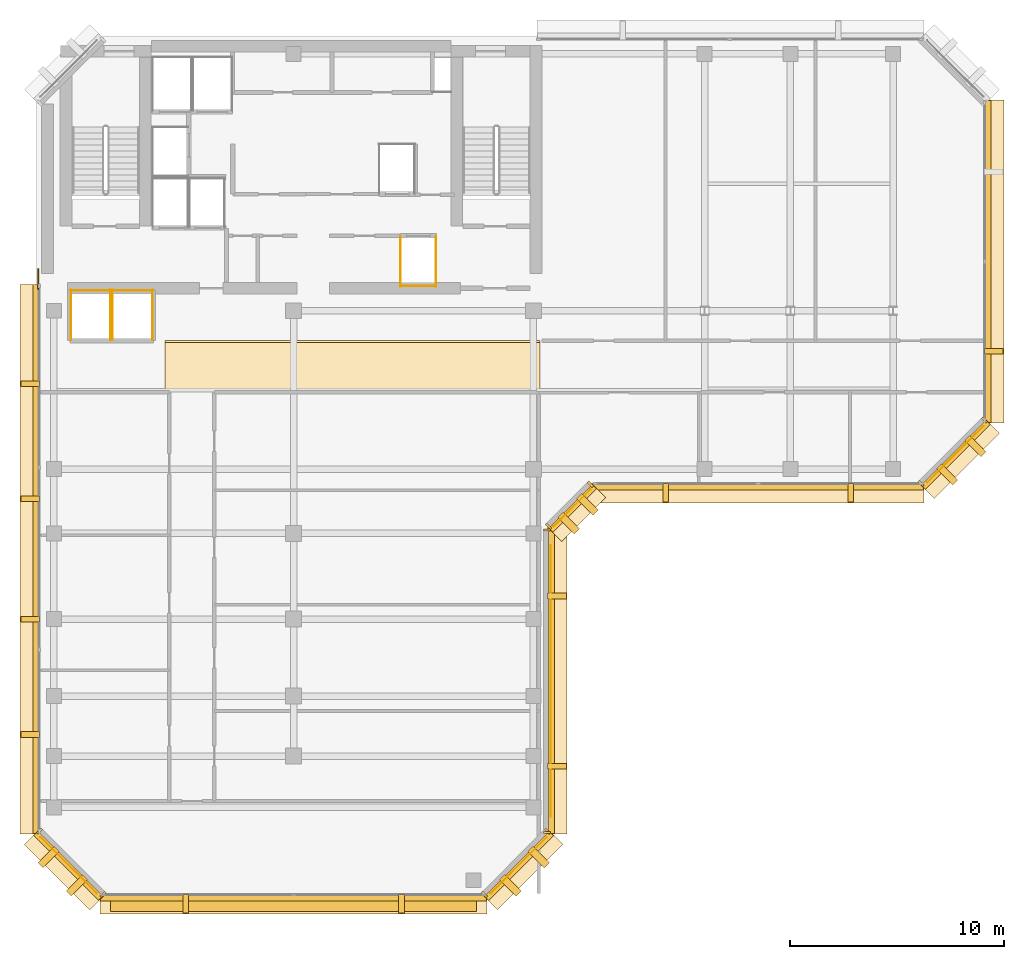
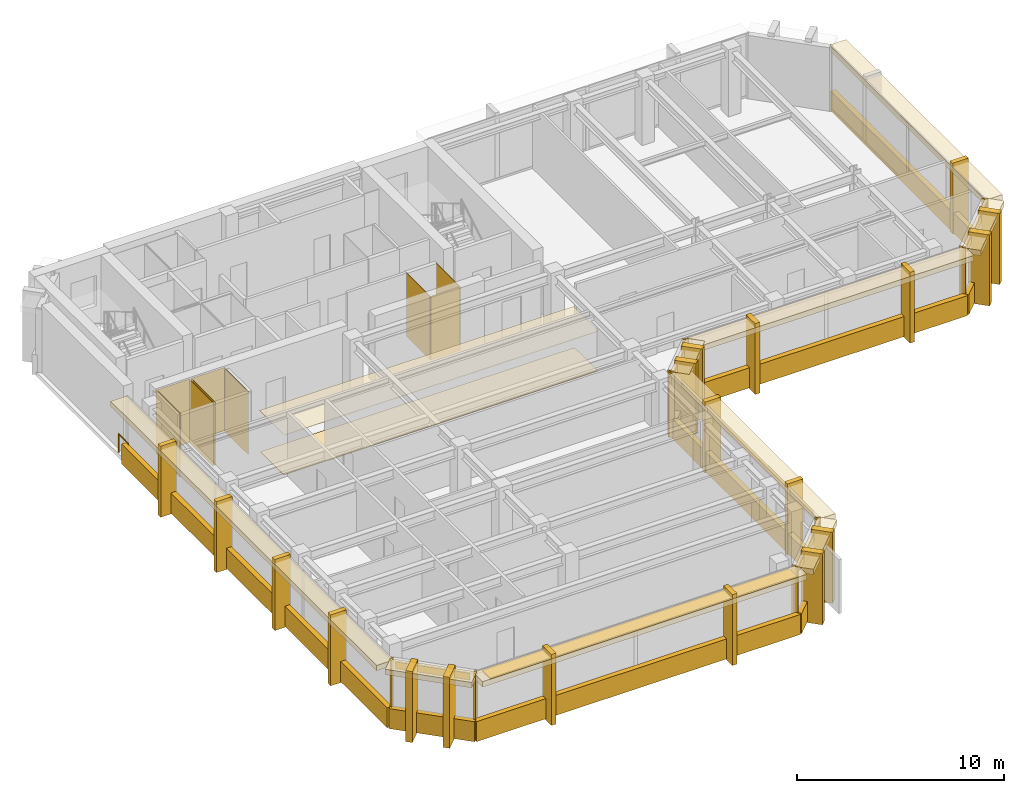
# One storey, part 9 of 11: 63 coverings, 1 railing, 1 shading device.
"""IFC4 building model written with IfcOpenShell, lengths in metres."""

from ifc_helpers import new_model, si_unit, direction, frame, origin, origin_2d, place, context, subcontext, project, spatial, polyline, rectangle, circle, outline, extrude, material, layer, layer_set, type_object, element, save


model = new_model("IFC4")

# Units and contexts
model_context = context("Model", 3, precision=1e-05, world=origin(), true_north=direction((0.0, 1.0)))
body_context = subcontext(model_context, "Body", "Model", "MODEL_VIEW")
ifc_project = project(units=[si_unit("LENGTHUNIT", "METRE"), si_unit("AREAUNIT", "SQUARE_METRE"), si_unit("VOLUMEUNIT", "CUBIC_METRE"), si_unit("PLANEANGLEUNIT", "RADIAN"), si_unit("MASSUNIT", "GRAM", prefix="KILO")], contexts=[model_context])

# Site, building, storey
site_placement = place(None, origin())
site = spatial("IfcSite", under=ifc_project, at=site_placement, CompositionType="ELEMENT")
building_placement = place(site_placement, origin())
building = spatial("IfcBuilding", under=site, at=building_placement, Name="Kefirva Bronze Tower", CompositionType="ELEMENT")
storey_placement = place(building_placement, frame((0.0, 0.0, 292.050048828125)))
storey = spatial("IfcBuildingStorey", under=building, at=storey_placement, Name="L71", CompositionType="ELEMENT", Elevation=292.050048828125)

# Coverings
ifc_material_1 = material(Name="Acoustic mineral tile")
ifc_layer_1 = layer(ifc_material_1, 0.02490234375, Name="Acoustic mineral tile")
ifc_layer_set_1 = layer_set([ifc_layer_1], Name="Acoustic mineral tile")
covering_type_1 = type_object("IfcCoveringType", Name="Acoustic Mineral Suspended Ceiling 25mm", PredefinedType="CEILING", material=ifc_layer_set_1)
covering_1_placement = place(storey_placement, frame((0.0, 0.0, 2.39990234375)))
element("IfcCovering", 1, at=covering_1_placement, inside=storey, type_object=covering_type_1, Name="L71 Corridor Acoustic Ceiling", PredefinedType="CEILING", context=body_context, shape_type="SweptSolid", body=[
    extrude(outline(polyline([(6.0, 29.39990234375), (23.5, 29.39990234375), (23.5, 31.800048828125), (6.0, 31.800048828125), (6.0, 29.39990234375)])), origin(), (0.0, 0.0, 1.0), 0.025146484375),
])
ifc_material_2 = material(Name="Bronze anodised aluminium", Category="aluminium")
ifc_layer_2 = layer(ifc_material_2, 0.02001953125, Name="Bronze anodised aluminium")
ifc_layer_set_2 = layer_set([ifc_layer_2], Name="Bronze anodised aluminium")
covering_type_2 = type_object("IfcCoveringType", Name="Anodised Bronze Spandrel Cladding 20mm", PredefinedType="CLADDING", material=ifc_layer_set_2)
covering_2_placement = place(storey_placement, frame((12.0, 5.760009765625, -0.16015625), z_axis=(0.0, 0.0, 1.0), x_axis=(1.0, 0.0, 0.0)))
element("IfcCovering", 2, at=covering_2_placement, inside=storey, type_object=covering_type_2, Name="L71 Streamline Horizontal Spandrel Band 0", PredefinedType="CLADDING", context=body_context, shape_type="SweptSolid", body=[
    extrude(rectangle(XDim=18.0400390625, YDim=0.280029296875, at=origin_2d()), origin(), (0.0, 0.0, 1.0), 1.179931640625),
])
covering_3_placement = place(storey_placement, frame((22.507080078125, 7.29296875, 3.320068359375), z_axis=(0.0, 0.0, 1.0), x_axis=(0.707106781187, 0.707106781187, 0.0)))
element("IfcCovering", 3, at=covering_3_placement, inside=storey, type_object=covering_type_2, Name="L71 Bronze Spandrel Cladding 1", PredefinedType="CLADDING", context=body_context, shape_type="SweptSolid", body=[
    extrude(rectangle(XDim=3.719482421875, YDim=0.02001953125, at=origin_2d()), origin(), (0.0, 0.0, 1.0), 0.39990234375),
])
for number, where, z_axis, x_axis, name in (
    (4, (20.91162109375, 5.93798828125, 0.0), (0.0, 0.0, 1.0), (0.707106781187, 0.707106781187, 0.0), "L71 Facade Joint Closure Panel 1S"),
    (5, (23.862060546875, 8.88818359375, 0.0), (0.0, 0.0, 1.0), (0.707106781187, 0.707106781187, 0.0), "L71 Facade Joint Closure Panel 1E"),
):
    element("IfcCovering", number, at=place(storey_placement, frame(where, z_axis=z_axis, x_axis=x_axis)), inside=storey, type_object=covering_type_2, Name=name, PredefinedType="CLADDING", context=body_context, shape_type="SweptSolid", body=[
        extrude(rectangle(XDim=0.10009765625, YDim=0.320068359375, at=origin_2d()), origin(), (0.0, 0.0, 1.0), 3.739990234375),
    ])
covering_4_placement = place(storey_placement, frame((22.5283203125, 7.271728515625, -0.16015625), z_axis=(0.0, 0.0, 1.0), x_axis=(0.707106781187, 0.707106781187, 0.0)))
element("IfcCovering", 6, at=covering_4_placement, inside=storey, type_object=covering_type_2, Name="L71 Streamline Horizontal Spandrel Band 1", PredefinedType="CLADDING", context=body_context, shape_type="SweptSolid", body=[
    extrude(rectangle(XDim=4.28271484375, YDim=0.280029296875, at=origin_2d()), origin(), (0.0, 0.0, 1.0), 1.179931640625),
])
covering_5_placement = place(storey_placement, frame((24.010009765625, 15.89990234375, 3.320068359375), z_axis=(0.0, 0.0, 1.0), x_axis=(0.0, 1.0, 0.0)))
element("IfcCovering", 7, at=covering_5_placement, inside=storey, type_object=covering_type_2, Name="L71 Bronze Spandrel Cladding 2", PredefinedType="CLADDING", context=body_context, shape_type="SweptSolid", body=[
    extrude(rectangle(XDim=12.680908203125, YDim=0.02001953125, at=origin_2d()), origin(), (0.0, 0.0, 1.0), 0.39990234375),
])
for number, where, z_axis, x_axis, name in (
    (8, (23.840087890625, 8.8349609375, 0.0), (0.0, 0.0, 1.0), (0.0, 1.0, 0.0), "L71 Facade Joint Closure Panel 2S"),
    (9, (23.840087890625, 22.965087890625, 0.0), (0.0, 0.0, 1.0), (0.0, 1.0, 0.0), "L71 Facade Joint Closure Panel 2E"),
):
    element("IfcCovering", number, at=place(storey_placement, frame(where, z_axis=z_axis, x_axis=x_axis)), inside=storey, type_object=covering_type_2, Name=name, PredefinedType="CLADDING", context=body_context, shape_type="SweptSolid", body=[
        extrude(rectangle(XDim=0.10009765625, YDim=0.320068359375, at=origin_2d()), origin(), (0.0, 0.0, 1.0), 3.739990234375),
    ])
covering_6_placement = place(storey_placement, frame((24.0400390625, 15.89990234375, -0.16015625), z_axis=(0.0, 0.0, 1.0), x_axis=(0.0, 1.0, 0.0)))
element("IfcCovering", 10, at=covering_6_placement, inside=storey, type_object=covering_type_2, Name="L71 Streamline Horizontal Spandrel Band 2", PredefinedType="CLADDING", context=body_context, shape_type="SweptSolid", body=[
    extrude(rectangle(XDim=14.239990234375, YDim=0.280029296875, at=origin_2d()), origin(), (0.0, 0.0, 1.0), 1.179931640625),
])
covering_7_placement = place(storey_placement, frame((25.007080078125, 23.992919921875, 3.320068359375), z_axis=(0.0, 0.0, 1.0), x_axis=(0.707106781187, 0.707106781187, 0.0)))
element("IfcCovering", 11, at=covering_7_placement, inside=storey, type_object=covering_type_2, Name="L71 Bronze Spandrel Cladding 3", PredefinedType="CLADDING", context=body_context, shape_type="SweptSolid", body=[
    extrude(rectangle(XDim=2.446533203125, YDim=0.02001953125, at=origin_2d()), origin(), (0.0, 0.0, 1.0), 0.39990234375),
])
for number, where, z_axis, x_axis, name in (
    (12, (23.91162109375, 23.137939453125, 0.0), (0.0, 0.0, 1.0), (0.707106781187, 0.707106781187, 0.0), "L71 Facade Joint Closure Panel 3S"),
    (13, (25.862060546875, 25.08837890625, 0.0), (0.0, 0.0, 1.0), (0.707106781187, 0.707106781187, 0.0), "L71 Facade Joint Closure Panel 3E"),
):
    element("IfcCovering", number, at=place(storey_placement, frame(where, z_axis=z_axis, x_axis=x_axis)), inside=storey, type_object=covering_type_2, Name=name, PredefinedType="CLADDING", context=body_context, shape_type="SweptSolid", body=[
        extrude(rectangle(XDim=0.10009765625, YDim=0.320068359375, at=origin_2d()), origin(), (0.0, 0.0, 1.0), 3.739990234375),
    ])
covering_8_placement = place(storey_placement, frame((25.0283203125, 23.9716796875, -0.16015625), z_axis=(0.0, 0.0, 1.0), x_axis=(0.707106781187, 0.707106781187, 0.0)))
element("IfcCovering", 14, at=covering_8_placement, inside=storey, type_object=covering_type_2, Name="L71 Streamline Horizontal Spandrel Band 3", PredefinedType="CLADDING", context=body_context, shape_type="SweptSolid", body=[
    extrude(rectangle(XDim=2.868408203125, YDim=0.280029296875, at=origin_2d()), origin(), (0.0, 0.0, 1.0), 1.179931640625),
])
covering_9_placement = place(storey_placement, frame((33.699951171875, 24.9599609375, -0.16015625), z_axis=(0.0, 0.0, 1.0), x_axis=(1.0, 0.0, 0.0)))
element("IfcCovering", 15, at=covering_9_placement, inside=storey, type_object=covering_type_2, Name="L71 Streamline Horizontal Spandrel Band 4", PredefinedType="CLADDING", context=body_context, shape_type="SweptSolid", body=[
    extrude(rectangle(XDim=15.43994140625, YDim=0.280029296875, at=origin_2d()), origin(), (0.0, 0.0, 1.0), 1.179931640625),
])
covering_10_placement = place(storey_placement, frame((42.906982421875, 26.492919921875, 3.320068359375), z_axis=(0.0, 0.0, 1.0), x_axis=(0.707106781187, 0.707106781187, 0.0)))
element("IfcCovering", 16, at=covering_10_placement, inside=storey, type_object=covering_type_2, Name="L71 Bronze Spandrel Cladding 4", PredefinedType="CLADDING", context=body_context, shape_type="SweptSolid", body=[
    extrude(rectangle(XDim=3.719482421875, YDim=0.02001953125, at=origin_2d()), origin(), (0.0, 0.0, 1.0), 0.39990234375),
])
for number, where, z_axis, x_axis, name in (
    (17, (41.311767578125, 25.137939453125, 0.0), (0.0, 0.0, 1.0), (0.707106781187, 0.707106781187, 0.0), "L71 Facade Joint Closure Panel 4S"),
    (18, (44.26220703125, 28.08837890625, 0.0), (0.0, 0.0, 1.0), (0.707106781187, 0.707106781187, 0.0), "L71 Facade Joint Closure Panel 4E"),
):
    element("IfcCovering", number, at=place(storey_placement, frame(where, z_axis=z_axis, x_axis=x_axis)), inside=storey, type_object=covering_type_2, Name=name, PredefinedType="CLADDING", context=body_context, shape_type="SweptSolid", body=[
        extrude(rectangle(XDim=0.10009765625, YDim=0.320068359375, at=origin_2d()), origin(), (0.0, 0.0, 1.0), 3.739990234375),
    ])
covering_11_placement = place(storey_placement, frame((42.92822265625, 26.4716796875, -0.16015625), z_axis=(0.0, 0.0, 1.0), x_axis=(0.707106781187, 0.707106781187, 0.0)))
element("IfcCovering", 19, at=covering_11_placement, inside=storey, type_object=covering_type_2, Name="L71 Streamline Horizontal Spandrel Band 5", PredefinedType="CLADDING", context=body_context, shape_type="SweptSolid", body=[
    extrude(rectangle(XDim=4.28271484375, YDim=0.280029296875, at=origin_2d()), origin(), (0.0, 0.0, 1.0), 1.179931640625),
])
covering_12_placement = place(storey_placement, frame((44.43994140625, 35.5, -0.16015625), z_axis=(0.0, 0.0, 1.0), x_axis=(0.0, 1.0, 0.0)))
element("IfcCovering", 20, at=covering_12_placement, inside=storey, type_object=covering_type_2, Name="L71 Streamline Horizontal Spandrel Band 6", PredefinedType="CLADDING", context=body_context, shape_type="SweptSolid", body=[
    extrude(rectangle(XDim=15.0400390625, YDim=0.280029296875, at=origin_2d()), origin(), (0.0, 0.0, 1.0), 1.179931640625),
])
covering_13_placement = place(storey_placement, frame((-0.0400390625, 21.597412109375, -0.16015625), z_axis=(0.0, 0.0, 1.0), x_axis=(0.0, -1.0, 0.0)))
element("IfcCovering", 21, at=covering_13_placement, inside=storey, type_object=covering_type_2, Name="L71 Streamline Horizontal Spandrel Band 10", PredefinedType="CLADDING", context=body_context, shape_type="SweptSolid", body=[
    extrude(rectangle(XDim=25.635009765625, YDim=0.280029296875, at=origin_2d()), origin(), (0.0, 0.0, 1.0), 1.179931640625),
])
covering_14_placement = place(storey_placement, frame((1.492919921875, 7.29296875, 3.320068359375), z_axis=(0.0, 0.0, 1.0), x_axis=(0.707106781187, -0.707106781187, 0.0)))
element("IfcCovering", 22, at=covering_14_placement, inside=storey, type_object=covering_type_2, Name="L71 Bronze Spandrel Cladding 7", PredefinedType="CLADDING", context=body_context, shape_type="SweptSolid", body=[
    extrude(rectangle(XDim=3.719482421875, YDim=0.02001953125, at=origin_2d()), origin(), (0.0, 0.0, 1.0), 0.39990234375),
])
for number, where, z_axis, x_axis, name in (
    (23, (0.137939453125, 8.88818359375, 0.0), (0.0, 0.0, 1.0), (0.707106781187, -0.707106781187, 0.0), "L71 Facade Joint Closure Panel 7S"),
    (24, (3.08837890625, 5.93798828125, 0.0), (0.0, 0.0, 1.0), (0.707106781187, -0.707106781187, 0.0), "L71 Facade Joint Closure Panel 7E"),
):
    element("IfcCovering", number, at=place(storey_placement, frame(where, z_axis=z_axis, x_axis=x_axis)), inside=storey, type_object=covering_type_2, Name=name, PredefinedType="CLADDING", context=body_context, shape_type="SweptSolid", body=[
        extrude(rectangle(XDim=0.10009765625, YDim=0.320068359375, at=origin_2d()), origin(), (0.0, 0.0, 1.0), 3.739990234375),
    ])
covering_15_placement = place(storey_placement, frame((1.4716796875, 7.271728515625, -0.16015625), z_axis=(0.0, 0.0, 1.0), x_axis=(0.707106781187, -0.707106781187, 0.0)))
element("IfcCovering", 25, at=covering_15_placement, inside=storey, type_object=covering_type_2, Name="L71 Streamline Horizontal Spandrel Band 11", PredefinedType="CLADDING", context=body_context, shape_type="SweptSolid", body=[
    extrude(rectangle(XDim=4.28271484375, YDim=0.280029296875, at=origin_2d()), origin(), (0.0, 0.0, 1.0), 1.179931640625),
])
covering_16_placement = place(storey_placement, origin())
element("IfcCovering", 26, at=covering_16_placement, inside=storey, type_object=covering_type_2, Name="L71 Lift OB1 Hoistway Liner N", PredefinedType="CLADDING", context=body_context, shape_type="SweptSolid", body=[
    extrude(outline(polyline([(1.580078125, 34.139892578125), (3.469970703125, 34.139892578125), (3.469970703125, 34.159912109375), (1.580078125, 34.159912109375), (1.580078125, 34.139892578125)])), origin(), (0.0, 0.0, 1.0), 3.739990234375),
])
covering_17_placement = place(storey_placement, origin())
element("IfcCovering", 27, at=covering_17_placement, inside=storey, type_object=covering_type_2, Name="L71 Lift OB1 Hoistway Liner W", PredefinedType="CLADDING", context=body_context, shape_type="SweptSolid", body=[
    extrude(outline(polyline([(1.590087890625, 31.830078125), (1.610107421875, 31.830078125), (1.610107421875, 34.169921875), (1.590087890625, 34.169921875), (1.590087890625, 31.830078125)])), origin(), (0.0, 0.0, 1.0), 3.739990234375),
])
covering_18_placement = place(storey_placement, origin())
element("IfcCovering", 28, at=covering_18_placement, inside=storey, type_object=covering_type_2, Name="L71 Lift OB1 Hoistway Liner E", PredefinedType="CLADDING", context=body_context, shape_type="SweptSolid", body=[
    extrude(outline(polyline([(3.43994140625, 31.830078125), (3.4599609375, 31.830078125), (3.4599609375, 34.169921875), (3.43994140625, 34.169921875), (3.43994140625, 31.830078125)])), origin(), (0.0, 0.0, 1.0), 3.739990234375),
])
covering_19_placement = place(storey_placement, origin())
element("IfcCovering", 29, at=covering_19_placement, inside=storey, type_object=covering_type_2, Name="L71 Lift OB2 Hoistway Liner N", PredefinedType="CLADDING", context=body_context, shape_type="SweptSolid", body=[
    extrude(outline(polyline([(3.530029296875, 34.139892578125), (5.419921875, 34.139892578125), (5.419921875, 34.159912109375), (3.530029296875, 34.159912109375), (3.530029296875, 34.139892578125)])), origin(), (0.0, 0.0, 1.0), 3.739990234375),
])
covering_20_placement = place(storey_placement, origin())
element("IfcCovering", 30, at=covering_20_placement, inside=storey, type_object=covering_type_2, Name="L71 Lift OB2 Hoistway Liner W", PredefinedType="CLADDING", context=body_context, shape_type="SweptSolid", body=[
    extrude(outline(polyline([(3.5400390625, 31.830078125), (3.56005859375, 31.830078125), (3.56005859375, 34.169921875), (3.5400390625, 34.169921875), (3.5400390625, 31.830078125)])), origin(), (0.0, 0.0, 1.0), 3.739990234375),
])
covering_21_placement = place(storey_placement, origin())
element("IfcCovering", 31, at=covering_21_placement, inside=storey, type_object=covering_type_2, Name="L71 Lift OB2 Hoistway Liner E", PredefinedType="CLADDING", context=body_context, shape_type="SweptSolid", body=[
    extrude(outline(polyline([(5.389892578125, 31.830078125), (5.409912109375, 31.830078125), (5.409912109375, 34.169921875), (5.389892578125, 34.169921875), (5.389892578125, 31.830078125)])), origin(), (0.0, 0.0, 1.0), 3.739990234375),
])
covering_22_placement = place(storey_placement, origin())
element("IfcCovering", 32, at=covering_22_placement, inside=storey, type_object=covering_type_2, Name="L71 Lift HP1 Hoistway Liner S", PredefinedType="CLADDING", context=body_context, shape_type="SweptSolid", body=[
    extrude(outline(polyline([(16.97998046875, 34.340087890625), (18.669921875, 34.340087890625), (18.669921875, 34.360107421875), (16.97998046875, 34.360107421875), (16.97998046875, 34.340087890625)])), origin(), (0.0, 0.0, 1.0), 3.739990234375),
])
covering_23_placement = place(storey_placement, origin())
element("IfcCovering", 33, at=covering_23_placement, inside=storey, type_object=covering_type_2, Name="L71 Lift HP1 Hoistway Liner W", PredefinedType="CLADDING", context=body_context, shape_type="SweptSolid", body=[
    extrude(outline(polyline([(16.989990234375, 34.330078125), (17.010009765625, 34.330078125), (17.010009765625, 36.669921875), (16.989990234375, 36.669921875), (16.989990234375, 34.330078125)])), origin(), (0.0, 0.0, 1.0), 3.739990234375),
])
covering_24_placement = place(storey_placement, origin())
element("IfcCovering", 34, at=covering_24_placement, inside=storey, type_object=covering_type_2, Name="L71 Lift HP1 Hoistway Liner E", PredefinedType="CLADDING", context=body_context, shape_type="SweptSolid", body=[
    extrude(outline(polyline([(18.639892578125, 34.330078125), (18.659912109375, 34.330078125), (18.659912109375, 36.669921875), (18.639892578125, 36.669921875), (18.639892578125, 34.330078125)])), origin(), (0.0, 0.0, 1.0), 3.739990234375),
])

# Shading device
ifc_layer_3 = layer(ifc_material_2, 0.090087890625, Name="Bronze anodised aluminium")
ifc_layer_set_3 = layer_set([ifc_layer_3], Name="Bronze anodised aluminium")
shading_device_type = type_object("IfcShadingDeviceType", Name="Horizontal Bronze Sunshade Band 750mm", PredefinedType="JALOUSIE", material=ifc_layer_set_3)
shading_device_placement = place(storey_placement, frame((12.0, 5.5048828125, 3.634765625), z_axis=(0.0, 0.0, 1.0), x_axis=(1.0, 0.0, 0.0)))
element("IfcShadingDevice", 35, at=shading_device_placement, inside=storey, type_object=shading_device_type, Name="L71 Horizontal Bronze Sunshade Band 0", PredefinedType="JALOUSIE", context=body_context, shape_type="SweptSolid", body=[
    extrude(rectangle(XDim=17.090087890625, YDim=0.75, at=origin_2d()), origin(), (0.0, 0.0, 1.0), 0.090087890625),
])

# Railing
ifc_material_3 = material(Name="Stainless steel 316", Category="steel")
railing_type = type_object("IfcRailingType", Name="Interior Stair Guardrail 1100mm", PredefinedType="GUARDRAIL", material=ifc_material_3)
railing_placement = place(storey_placement, frame((0.080078125, 34.199951171875, 0.0)))
element("IfcRailing", 36, at=railing_placement, inside=storey, type_object=railing_type, Name="L71 West Core Junction Guardrail", PredefinedType="GUARDRAIL", context=body_context, shape_type="SweptSolid", body=[
    extrude(circle(Radius=0.02392578125, at=origin_2d()), frame((0.0, 0.0, 1.076171875), z_axis=(0.0, 1.0, 0.0), x_axis=(-1.0, 0.0, 0.0)), (0.0, 0.0, 1.0), 0.949951171875),
    extrude(circle(Radius=0.02099609375, at=origin_2d()), origin(), (0.0, 0.0, 1.0), 1.052001953125),
    extrude(circle(Radius=0.02099609375, at=origin_2d()), frame((0.0, 0.949951171875, 0.0)), (0.0, 0.0, 1.0), 1.052001953125),
])

# Coverings
ifc_material_4 = material(Name="Calcium sulphate access tile")
ifc_layer_4 = layer(ifc_material_4, 0.044921875, Name="Calcium sulphate access tile")
ifc_layer_set_4 = layer_set([ifc_layer_4], Name="Calcium sulphate access tile")
covering_type_3 = type_object("IfcCoveringType", Name="Raised Access Office Flooring 45mm", PredefinedType="FLOORING", material=ifc_layer_set_4)
covering_25_placement = place(storey_placement, origin())
element("IfcCovering", 37, at=covering_25_placement, inside=storey, type_object=covering_type_3, Name="L71 Architectural Finish Flooring", PredefinedType="FLOORING", context=body_context, shape_type="SweptSolid", body=[
    extrude(outline(polyline([(6.0, 29.47998046875), (23.5, 29.47998046875), (23.5, 31.719970703125), (6.0, 31.719970703125), (6.0, 29.47998046875)])), origin(), (0.0, 0.0, 1.0), 0.044921875),
])
ifc_layer_5 = layer(ifc_material_2, 0.179931640625, Name="Bronze anodised aluminium")
ifc_layer_set_5 = layer_set([ifc_layer_5], Name="Bronze anodised aluminium")
covering_type_4 = type_object("IfcCoveringType", Name="Streamline Bronze Sunshade Eyebrow Cladding 180mm", PredefinedType="CLADDING", material=ifc_layer_set_5)
covering_26_placement = place(storey_placement, frame((12.0, 5.489990234375, 3.419921875), z_axis=(0.0, 0.0, 1.0), x_axis=(1.0, 0.0, 0.0)))
element("IfcCovering", 38, at=covering_26_placement, inside=storey, type_object=covering_type_4, Name="L71 Streamline Bronze Sunshade Eyebrow 0", PredefinedType="CLADDING", context=body_context, shape_type="SweptSolid", body=[
    extrude(rectangle(XDim=18.080078125, YDim=0.93994140625, at=origin_2d()), origin(), (0.0, 0.0, 1.0), 0.320068359375),
])
covering_27_placement = place(storey_placement, frame((22.71923828125, 7.080810546875, 3.419921875), z_axis=(0.0, 0.0, 1.0), x_axis=(0.707106781187, 0.707106781187, 0.0)))
element("IfcCovering", 39, at=covering_27_placement, inside=storey, type_object=covering_type_4, Name="L71 Streamline Bronze Sunshade Eyebrow 1", PredefinedType="CLADDING", context=body_context, shape_type="SweptSolid", body=[
    extrude(rectangle(XDim=4.322509765625, YDim=0.93994140625, at=origin_2d()), origin(), (0.0, 0.0, 1.0), 0.320068359375),
])
covering_28_placement = place(storey_placement, frame((24.31005859375, 15.89990234375, 3.419921875), z_axis=(0.0, 0.0, 1.0), x_axis=(0.0, 1.0, 0.0)))
element("IfcCovering", 40, at=covering_28_placement, inside=storey, type_object=covering_type_4, Name="L71 Streamline Bronze Sunshade Eyebrow 2", PredefinedType="CLADDING", context=body_context, shape_type="SweptSolid", body=[
    extrude(rectangle(XDim=14.280029296875, YDim=0.93994140625, at=origin_2d()), origin(), (0.0, 0.0, 1.0), 0.320068359375),
])
covering_29_placement = place(storey_placement, frame((25.21923828125, 23.78076171875, 3.419921875), z_axis=(0.0, 0.0, 1.0), x_axis=(0.707106781187, 0.707106781187, 0.0)))
element("IfcCovering", 41, at=covering_29_placement, inside=storey, type_object=covering_type_4, Name="L71 Streamline Bronze Sunshade Eyebrow 3", PredefinedType="CLADDING", context=body_context, shape_type="SweptSolid", body=[
    extrude(rectangle(XDim=2.908447265625, YDim=0.93994140625, at=origin_2d()), origin(), (0.0, 0.0, 1.0), 0.320068359375),
])
covering_30_placement = place(storey_placement, frame((33.699951171875, 24.68994140625, 3.419921875), z_axis=(0.0, 0.0, 1.0), x_axis=(1.0, 0.0, 0.0)))
element("IfcCovering", 42, at=covering_30_placement, inside=storey, type_object=covering_type_4, Name="L71 Streamline Bronze Sunshade Eyebrow 4", PredefinedType="CLADDING", context=body_context, shape_type="SweptSolid", body=[
    extrude(rectangle(XDim=15.47998046875, YDim=0.93994140625, at=origin_2d()), origin(), (0.0, 0.0, 1.0), 0.320068359375),
])
covering_31_placement = place(storey_placement, frame((43.119140625, 26.28076171875, 3.419921875), z_axis=(0.0, 0.0, 1.0), x_axis=(0.707106781187, 0.707106781187, 0.0)))
element("IfcCovering", 43, at=covering_31_placement, inside=storey, type_object=covering_type_4, Name="L71 Streamline Bronze Sunshade Eyebrow 5", PredefinedType="CLADDING", context=body_context, shape_type="SweptSolid", body=[
    extrude(rectangle(XDim=4.322509765625, YDim=0.93994140625, at=origin_2d()), origin(), (0.0, 0.0, 1.0), 0.320068359375),
])
covering_32_placement = place(storey_placement, frame((44.7099609375, 35.5, 3.419921875), z_axis=(0.0, 0.0, 1.0), x_axis=(0.0, 1.0, 0.0)))
element("IfcCovering", 44, at=covering_32_placement, inside=storey, type_object=covering_type_4, Name="L71 Streamline Bronze Sunshade Eyebrow 6", PredefinedType="CLADDING", context=body_context, shape_type="SweptSolid", body=[
    extrude(rectangle(XDim=15.080078125, YDim=0.93994140625, at=origin_2d()), origin(), (0.0, 0.0, 1.0), 0.320068359375),
])
covering_33_placement = place(storey_placement, frame((-0.31005859375, 21.597412109375, 3.419921875), z_axis=(0.0, 0.0, 1.0), x_axis=(0.0, -1.0, 0.0)))
element("IfcCovering", 45, at=covering_33_placement, inside=storey, type_object=covering_type_4, Name="L71 Streamline Bronze Sunshade Eyebrow 10", PredefinedType="CLADDING", context=body_context, shape_type="SweptSolid", body=[
    extrude(rectangle(XDim=25.675048828125, YDim=0.93994140625, at=origin_2d()), origin(), (0.0, 0.0, 1.0), 0.320068359375),
])
covering_34_placement = place(storey_placement, frame((1.28076171875, 7.080810546875, 3.419921875), z_axis=(0.0, 0.0, 1.0), x_axis=(0.707106781187, -0.707106781187, 0.0)))
element("IfcCovering", 46, at=covering_34_placement, inside=storey, type_object=covering_type_4, Name="L71 Streamline Bronze Sunshade Eyebrow 11", PredefinedType="CLADDING", context=body_context, shape_type="SweptSolid", body=[
    extrude(rectangle(XDim=4.322509765625, YDim=0.93994140625, at=origin_2d()), origin(), (0.0, 0.0, 1.0), 0.320068359375),
])
ifc_layer_6 = layer(ifc_material_2, 0.260009765625, Name="Bronze anodised aluminium")
ifc_layer_set_6 = layer_set([ifc_layer_6], Name="Bronze anodised aluminium")
covering_type_5 = type_object("IfcCoveringType", Name="Unbroken Bronze Buttress Fin Cladding 260mm", PredefinedType="CLADDING", material=ifc_layer_set_6)
for number, where, z_axis, x_axis, name in (
    (47, (6.9599609375, 5.5, -0.22021484375), (0.0, 0.0, 1.0), (1.0, 0.0, 0.0), "L71 Unbroken Vertical Bronze Rib Fin 1"),
    (48, (17.0400390625, 5.5, -0.22021484375), (0.0, 0.0, 1.0), (1.0, 0.0, 0.0), "L71 Unbroken Vertical Bronze Rib Fin 2"),
):
    element("IfcCovering", number, at=place(storey_placement, frame(where, z_axis=z_axis, x_axis=x_axis)), inside=storey, type_object=covering_type_5, Name=name, PredefinedType="CLADDING", context=body_context, shape_type="SweptSolid", body=[
        extrude(rectangle(XDim=0.260009765625, YDim=0.8798828125, at=origin_2d()), origin(), (0.0, 0.0, 1.0), 4.179931640625),
    ])
for number, where, z_axis, x_axis, name in (
    (49, (22.122802734375, 6.357177734375, -0.22021484375), (0.0, 0.0, 1.0), (0.707106781187, 0.707106781187, 0.0), "L71 Chamfered Corner Buttress Fin Cladding 3"),
    (50, (23.44287109375, 7.67724609375, -0.22021484375), (0.0, 0.0, 1.0), (0.707106781187, 0.707106781187, 0.0), "L71 Chamfered Corner Buttress Fin Cladding 4"),
):
    element("IfcCovering", number, at=place(storey_placement, frame(where, z_axis=z_axis, x_axis=x_axis)), inside=storey, type_object=covering_type_5, Name=name, PredefinedType="CLADDING", context=body_context, shape_type="SweptSolid", body=[
        extrude(rectangle(XDim=0.340087890625, YDim=1.080078125, at=origin_2d()), origin(), (0.0, 0.0, 1.0), 4.179931640625),
    ])
for number, where, z_axis, x_axis, name in (
    (51, (24.300048828125, 11.924072265625, -0.22021484375), (0.0, 0.0, 1.0), (0.0, 1.0, 0.0), "L71 Unbroken Vertical Bronze Rib Fin 5"),
    (52, (24.300048828125, 19.8759765625, -0.22021484375), (0.0, 0.0, 1.0), (0.0, 1.0, 0.0), "L71 Unbroken Vertical Bronze Rib Fin 6"),
):
    element("IfcCovering", number, at=place(storey_placement, frame(where, z_axis=z_axis, x_axis=x_axis)), inside=storey, type_object=covering_type_5, Name=name, PredefinedType="CLADDING", context=body_context, shape_type="SweptSolid", body=[
        extrude(rectangle(XDim=0.260009765625, YDim=0.8798828125, at=origin_2d()), origin(), (0.0, 0.0, 1.0), 4.179931640625),
    ])
for number, where, z_axis, x_axis, name in (
    (53, (24.8427734375, 23.277099609375, -0.22021484375), (0.0, 0.0, 1.0), (0.707106781187, 0.707106781187, 0.0), "L71 Chamfered Corner Buttress Fin Cladding 7"),
    (54, (25.722900390625, 24.1572265625, -0.22021484375), (0.0, 0.0, 1.0), (0.707106781187, 0.707106781187, 0.0), "L71 Chamfered Corner Buttress Fin Cladding 8"),
):
    element("IfcCovering", number, at=place(storey_placement, frame(where, z_axis=z_axis, x_axis=x_axis)), inside=storey, type_object=covering_type_5, Name=name, PredefinedType="CLADDING", context=body_context, shape_type="SweptSolid", body=[
        extrude(rectangle(XDim=0.340087890625, YDim=1.080078125, at=origin_2d()), origin(), (0.0, 0.0, 1.0), 4.179931640625),
    ])
for number, where, z_axis, x_axis, name in (
    (55, (29.387939453125, 24.699951171875, -0.22021484375), (0.0, 0.0, 1.0), (1.0, 0.0, 0.0), "L71 Unbroken Vertical Bronze Rib Fin 9"),
    (56, (38.011962890625, 24.699951171875, -0.22021484375), (0.0, 0.0, 1.0), (1.0, 0.0, 0.0), "L71 Unbroken Vertical Bronze Rib Fin 10"),
):
    element("IfcCovering", number, at=place(storey_placement, frame(where, z_axis=z_axis, x_axis=x_axis)), inside=storey, type_object=covering_type_5, Name=name, PredefinedType="CLADDING", context=body_context, shape_type="SweptSolid", body=[
        extrude(rectangle(XDim=0.260009765625, YDim=0.8798828125, at=origin_2d()), origin(), (0.0, 0.0, 1.0), 4.179931640625),
    ])
for number, where, z_axis, x_axis, name in (
    (57, (42.522705078125, 25.55712890625, -0.22021484375), (0.0, 0.0, 1.0), (0.707106781187, 0.707106781187, 0.0), "L71 Chamfered Corner Buttress Fin Cladding 11"),
    (58, (43.8427734375, 26.877197265625, -0.22021484375), (0.0, 0.0, 1.0), (0.707106781187, 0.707106781187, 0.0), "L71 Chamfered Corner Buttress Fin Cladding 12"),
):
    element("IfcCovering", number, at=place(storey_placement, frame(where, z_axis=z_axis, x_axis=x_axis)), inside=storey, type_object=covering_type_5, Name=name, PredefinedType="CLADDING", context=body_context, shape_type="SweptSolid", body=[
        extrude(rectangle(XDim=0.340087890625, YDim=1.080078125, at=origin_2d()), origin(), (0.0, 0.0, 1.0), 4.179931640625),
    ])
for number, where, z_axis, x_axis, name in (
    (59, (44.699951171875, 31.300048828125, -0.22021484375), (0.0, 0.0, 1.0), (0.0, 1.0, 0.0), "L71 Unbroken Vertical Bronze Rib Fin 13"),
    (60, (-0.300048828125, 29.787841796875, -0.22021484375), (0.0, 0.0, 1.0), (0.0, -1.0, 0.0), "L71 Unbroken Vertical Bronze Rib Fin 21"),
    (61, (-0.300048828125, 24.4130859375, -0.22021484375), (0.0, 0.0, 1.0), (0.0, -1.0, 0.0), "L71 Unbroken Vertical Bronze Rib Fin 22"),
    (62, (-0.300048828125, 18.781982421875, -0.22021484375), (0.0, 0.0, 1.0), (0.0, -1.0, 0.0), "L71 Unbroken Vertical Bronze Rib Fin 23"),
    (63, (-0.300048828125, 13.406982421875, -0.22021484375), (0.0, 0.0, 1.0), (0.0, -1.0, 0.0), "L71 Unbroken Vertical Bronze Rib Fin 24"),
):
    element("IfcCovering", number, at=place(storey_placement, frame(where, z_axis=z_axis, x_axis=x_axis)), inside=storey, type_object=covering_type_5, Name=name, PredefinedType="CLADDING", context=body_context, shape_type="SweptSolid", body=[
        extrude(rectangle(XDim=0.260009765625, YDim=0.8798828125, at=origin_2d()), origin(), (0.0, 0.0, 1.0), 4.179931640625),
    ])
for number, where, z_axis, x_axis, name in (
    (64, (0.55712890625, 7.67724609375, -0.22021484375), (0.0, 0.0, 1.0), (0.707106781187, -0.707106781187, 0.0), "L71 Chamfered Corner Buttress Fin Cladding 25"),
    (65, (1.877197265625, 6.357177734375, -0.22021484375), (0.0, 0.0, 1.0), (0.707106781187, -0.707106781187, 0.0), "L71 Chamfered Corner Buttress Fin Cladding 26"),
):
    element("IfcCovering", number, at=place(storey_placement, frame(where, z_axis=z_axis, x_axis=x_axis)), inside=storey, type_object=covering_type_5, Name=name, PredefinedType="CLADDING", context=body_context, shape_type="SweptSolid", body=[
        extrude(rectangle(XDim=0.340087890625, YDim=1.080078125, at=origin_2d()), origin(), (0.0, 0.0, 1.0), 4.179931640625),
    ])

save(model, "model.ifc")
